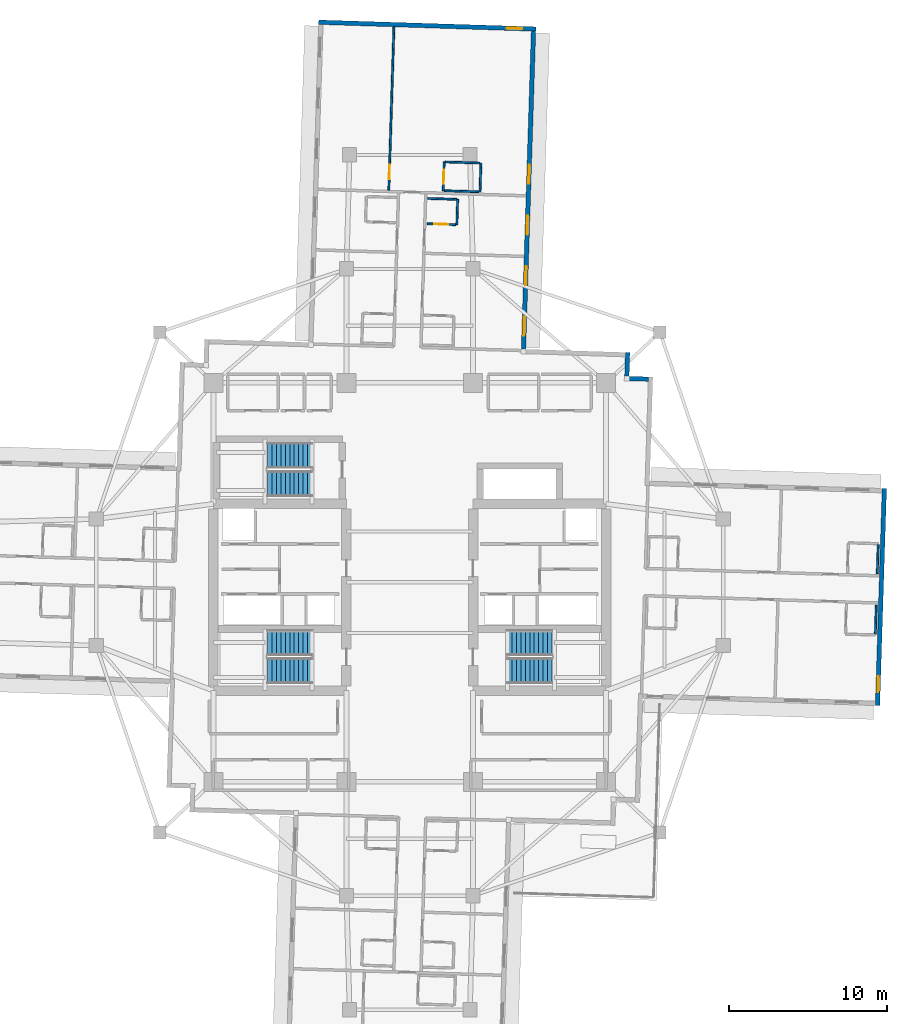
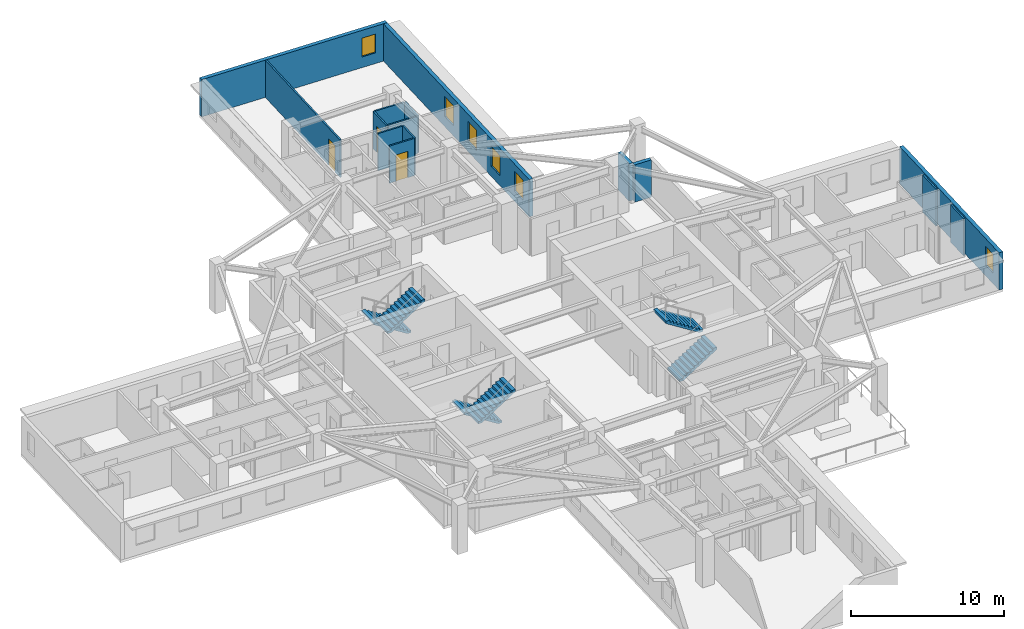
# One storey, part 9 of 14: 15 walls, 6 stair flights, 6 windows, 3 doors, 9 openings, 3 elements without a shape of their own.
"""IFC4 building model written with IfcOpenShell, lengths in metres."""

from ifc_helpers import new_model, si_unit, direction, frame, frame_2d, origin, place, context, subcontext, project, spatial, polyline, rectangle, outline, extrude, material, layer, layer_set, type_object, element, fill, aggregate, save


model = new_model("IFC4")

# Units and contexts
model_context = context("Model", 3, precision=1e-05, world=origin(), true_north=direction((0.0, 1.0)))
body_context = subcontext(model_context, "Body", "Model", "MODEL_VIEW")
ifc_project = project(units=[si_unit("LENGTHUNIT", "METRE"), si_unit("AREAUNIT", "SQUARE_METRE"), si_unit("VOLUMEUNIT", "CUBIC_METRE"), si_unit("PLANEANGLEUNIT", "RADIAN"), si_unit("MASSUNIT", "GRAM", prefix="KILO")], contexts=[model_context])

# Site, building, storey
site_placement = place(None, origin())
site = spatial("IfcSite", under=ifc_project, at=site_placement, CompositionType="ELEMENT")
building_placement = place(site_placement, origin())
building = spatial("IfcBuilding", under=site, at=building_placement, Name="Qingluan Cross Belvedere", CompositionType="ELEMENT")
storey_placement = place(building_placement, frame((0.0, 0.0, 176.10009765625)))
storey = spatial("IfcBuildingStorey", under=building, at=storey_placement, Name="L44", CompositionType="ELEMENT", Elevation=176.10009765625)

# Walls
ifc_material_1 = material(Name="Moisture-resistant gypsum board lining")
ifc_layer_1 = layer(ifc_material_1, 0.1201171875, Name="EnsuiteWetPartition_120")
ifc_layer_set_1 = layer_set([ifc_layer_1], Name="Moisture-resistant gypsum board lining")
wall_type_1 = type_object("IfcWallType", Name="EnsuiteWetPartition_120", PredefinedType="PARTITIONING", material=ifc_layer_set_1)
for number, where, z_axis, x_axis, name in (
    (1, (29.531982421875, 0.552734375, 0.0), (0.0, 0.0, 1.0), (0.031389704724, 0.999507221803, 0.0), "Partition L44:E:bw0_1"),
    (2, (29.411865234375, -3.265380859375, 0.0), (0.0, 0.0, 1.0), (0.031389704724, 0.999507221803, 0.0), "Partition L44:E:bw1_1"),
):
    element("IfcWall", number, at=place(storey_placement, frame(where, z_axis=z_axis, x_axis=x_axis)), inside=storey, type_object=wall_type_1, Name=name, PredefinedType="PARTITIONING", context=body_context, shape_type="SweptSolid", body=[
        extrude(rectangle(XDim=1.820068359375, YDim=0.1201171875, at=frame_2d((0.91015625, 0.0))), origin(), (0.0, 0.0, 1.0), 2.9599609375),
    ])

# Wall, opening, door
wall_1_placement = place(storey_placement, frame((1.091796875, 22.64697265625, 0.0), z_axis=(0.0, 0.0, 1.0), x_axis=(0.999503004171, -0.03152371574, 0.0)))
wall_1 = element("IfcWall", 3, at=wall_1_placement, inside=storey, type_object=wall_type_1, Name="Partition L44:N:bs0_1", PredefinedType="PARTITIONING", context=body_context, shape_type="SweptSolid", body=[
    extrude(rectangle(XDim=1.820068359375, YDim=0.1201171875, at=frame_2d((0.91015625, 0.0))), origin(), (0.0, 0.0, 1.0), 2.9599609375),
])
opening_1_placement = place(wall_1_placement, frame((0.469970703125, 0.0, 0.0)))
opening_1 = element("IfcOpeningElement", 4, at=opening_1_placement, cuts=wall_1, Name="Opening BD-09", PredefinedType="OPENING", context=body_context, shape_type="SweptSolid", body=[
    extrude(rectangle(XDim=0.8798828125, YDim=2.10009765625, at=frame_2d((0.43994140625, 1.050048828125))), frame((0.0, 0.070068359375, 0.0), z_axis=(0.0, -1.0, 0.0), x_axis=(1.0, 0.0, 0.0)), (0.0, 0.0, 1.0), 0.14013671875),
])
ifc_material_2 = material(Name="Moisture-sealed timber en-suite door", Category="wood")
door_type_1 = type_object("IfcDoorType", Name="BathroomDoor_880", OperationType="NOTDEFINED", PredefinedType="DOOR", material=ifc_material_2)
door_1_placement = place(opening_1_placement, origin())
door_1 = element("IfcDoor", 5, at=door_1_placement, inside=storey, type_object=door_type_1, Name="Bathroom door 4412", OperationType="SINGLE_SWING_LEFT", OverallHeight=2.10009765625, OverallWidth=0.8798828125, PredefinedType="DOOR", context=body_context, shape_type="SweptSolid", body=[
    extrude(rectangle(XDim=0.8798828125, YDim=2.10009765625, at=frame_2d((0.43994140625, 1.050048828125))), frame((0.0, 0.02490234375, 0.0), z_axis=(0.0, -1.0, 0.0), x_axis=(1.0, 0.0, 0.0)), (0.0, 0.0, 1.0), 0.050048828125),
])
fill(opening_1, door_1)

# Walls
wall_2_placement = place(storey_placement, frame((1.14208984375, 24.24609375, 0.0), z_axis=(0.0, 0.0, 1.0), x_axis=(0.999507221803, -0.031389704724, 0.0)))
element("IfcWall", 6, at=wall_2_placement, inside=storey, type_object=wall_type_1, Name="Partition L44:N:bw0_1", PredefinedType="PARTITIONING", context=body_context, shape_type="SweptSolid", body=[
    extrude(rectangle(XDim=1.820068359375, YDim=0.1201171875, at=frame_2d((0.91015625, 0.0))), origin(), (0.0, 0.0, 1.0), 2.9599609375),
])
wall_3_placement = place(storey_placement, frame((2.97607421875, 22.587646484375, 0.0), z_axis=(0.0, 0.0, 1.0), x_axis=(0.031277621856, 0.999510735496, 0.0)))
element("IfcWall", 7, at=wall_3_placement, inside=storey, type_object=wall_type_1, Name="Partition L44:N:bn0_1", PredefinedType="PARTITIONING", context=body_context, shape_type="SweptSolid", body=[
    extrude(rectangle(XDim=1.60009765625, YDim=0.1201171875, at=frame_2d((0.800048828125, 0.0))), origin(), (0.0, 0.0, 1.0), 2.9599609375),
])

# Wall, opening, door
wall_4_placement = place(storey_placement, frame((-1.322509765625, 24.773681640625, 0.0), z_axis=(0.0, 0.0, 1.0), x_axis=(0.031416574993, 0.999506377576, 0.0)))
wall_4 = element("IfcWall", 8, at=wall_4_placement, inside=storey, type_object=wall_type_1, Name="Partition L44:Ncap:m2", PredefinedType="PARTITIONING", context=body_context, shape_type="SweptSolid", body=[
    extrude(rectangle(XDim=10.312255859375, YDim=0.1201171875, at=frame_2d((5.15625, 0.0))), origin(), (0.0, 0.0, 1.0), 2.9599609375),
])
opening_2_placement = place(wall_4_placement, frame((0.699951171875, 0.0, 0.0)))
opening_2 = element("IfcOpeningElement", 9, at=opening_2_placement, cuts=wall_4, Name="Opening BD-89", PredefinedType="OPENING", context=body_context, shape_type="SweptSolid", body=[
    extrude(rectangle(XDim=0.89990234375, YDim=2.10009765625, at=frame_2d((0.449951171875, 1.050048828125))), frame((0.0, 0.070068359375, 0.0), z_axis=(0.0, -1.0, 0.0), x_axis=(1.0, 0.0, 0.0)), (0.0, 0.0, 1.0), 0.14013671875),
])
ifc_material_3 = material(Name="Timber acoustic study door", Category="wood")
door_type_2 = type_object("IfcDoorType", Name="SuiteStudyDoor_900", OperationType="NOTDEFINED", PredefinedType="DOOR", material=ifc_material_3)
door_2_placement = place(opening_2_placement, origin())
door_2 = element("IfcDoor", 10, at=door_2_placement, inside=storey, type_object=door_type_2, Name="Suite private study door L44N", OperationType="SINGLE_SWING_LEFT", OverallHeight=2.10009765625, OverallWidth=0.89990234375, PredefinedType="DOOR", context=body_context, shape_type="SweptSolid", body=[
    extrude(rectangle(XDim=0.89990234375, YDim=2.10009765625, at=frame_2d((0.449951171875, 1.050048828125))), frame((0.0, 0.02490234375, 0.0), z_axis=(0.0, -1.0, 0.0), x_axis=(1.0, 0.0, 0.0)), (0.0, 0.0, 1.0), 0.050048828125),
])
fill(opening_2, door_2)

wall_5_placement = place(storey_placement, frame((2.117919921875, 24.735595703125, 0.0), z_axis=(0.0, 0.0, 1.0), x_axis=(0.03152371574, 0.999503004171, 0.0)))
wall_5 = element("IfcWall", 11, at=wall_5_placement, inside=storey, type_object=wall_type_1, Name="Partition L44:Ncap:b2s", PredefinedType="PARTITIONING", context=body_context, shape_type="SweptSolid", body=[
    extrude(rectangle(XDim=1.820068359375, YDim=0.1201171875, at=frame_2d((0.91015625, 0.0))), origin(), (0.0, 0.0, 1.0), 2.9599609375),
])
opening_3_placement = place(wall_5_placement, frame((0.449951171875, 0.0, 0.0)))
opening_3 = element("IfcOpeningElement", 12, at=opening_3_placement, cuts=wall_5, Name="Opening BD-09", PredefinedType="OPENING", context=body_context, shape_type="SweptSolid", body=[
    extrude(rectangle(XDim=0.8798828125, YDim=2.10009765625, at=frame_2d((0.43994140625, 1.050048828125))), frame((0.0, 0.070068359375, 0.0), z_axis=(0.0, -1.0, 0.0), x_axis=(1.0, 0.0, 0.0)), (0.0, 0.0, 1.0), 0.14013671875),
])
door_3_placement = place(opening_3_placement, origin())
door_3 = element("IfcDoor", 13, at=door_3_placement, inside=storey, type_object=door_type_1, Name="En-suite bathroom door L44N", OperationType="SINGLE_SWING_RIGHT", OverallHeight=2.10009765625, OverallWidth=0.8798828125, PredefinedType="DOOR", context=body_context, shape_type="SweptSolid", body=[
    extrude(rectangle(XDim=0.8798828125, YDim=2.10009765625, at=frame_2d((0.43994140625, 1.050048828125))), frame((0.0, 0.02490234375, 0.0), z_axis=(0.0, -1.0, 0.0), x_axis=(1.0, 0.0, 0.0)), (0.0, 0.0, 1.0), 0.050048828125),
])
fill(opening_3, door_3)

# Walls
wall_6_placement = place(storey_placement, frame((4.43701171875, 24.662841796875, 0.0), z_axis=(0.0, 0.0, 1.0), x_axis=(0.031255692016, 0.999511421504, 0.0)))
element("IfcWall", 14, at=wall_6_placement, inside=storey, type_object=wall_type_1, Name="Partition L44:Ncap:b2b", PredefinedType="PARTITIONING", context=body_context, shape_type="SweptSolid", body=[
    extrude(rectangle(XDim=1.820068359375, YDim=0.1201171875, at=frame_2d((0.91015625, 0.0))), origin(), (0.0, 0.0, 1.0), 2.9599609375),
])
for number, where, z_axis, x_axis, name in (
    (15, (2.18798828125, 24.7333984375, 0.0), (0.0, 0.0, 1.0), (0.999508244557, -0.031357121398, 0.0), "Partition L44:Ncap:b2a"),
    (16, (2.2451171875, 26.552490234375, 0.0), (0.0, 0.0, 1.0), (0.999508244557, -0.031357121398, 0.0), "Partition L44:Ncap:b2n"),
):
    element("IfcWall", number, at=place(storey_placement, frame(where, z_axis=z_axis, x_axis=x_axis)), inside=storey, type_object=wall_type_1, Name=name, PredefinedType="PARTITIONING", context=body_context, shape_type="SweptSolid", body=[
        extrude(rectangle(XDim=2.179931640625, YDim=0.1201171875, at=frame_2d((1.08984375, 0.0))), origin(), (0.0, 0.0, 1.0), 2.9599609375),
    ])

# Wall, opening, window
ifc_material_4 = material(Name="Precast concrete C45", Category="concrete")
ifc_layer_2 = layer(ifc_material_4, 0.280029296875, Name="PrecastFacadeWall_280")
ifc_layer_set_2 = layer_set([ifc_layer_2], Name="Precast concrete C45")
wall_type_2 = type_object("IfcWallType", Name="PrecastFacadeWall_280", PredefinedType="STANDARD", material=ifc_layer_set_2)
wall_7_placement = place(storey_placement, frame((29.5498046875, -7.7919921875, 0.0), z_axis=(0.0, 0.0, 1.0), x_axis=(0.031407524763, 0.999506662003, 0.0)))
wall_7 = element("IfcWall", 17, at=wall_7_placement, inside=storey, type_object=wall_type_2, Name="Arm tip precast facade wall L44-E", PredefinedType="STANDARD", context=body_context, shape_type="SweptSolid", body=[
    extrude(rectangle(XDim=13.719970703125, YDim=0.280029296875, at=frame_2d((6.85986328125, 0.0))), origin(), (0.0, 0.0, 1.0), 2.969970703125),
])
opening_4_placement = place(wall_7_placement, frame((0.85009765625, 0.0, 0.85009765625)))
opening_4 = element("IfcOpeningElement", 18, at=opening_4_placement, cuts=wall_7, Name="Opening W-03", PredefinedType="OPENING", context=body_context, shape_type="SweptSolid", body=[
    extrude(rectangle(XDim=1.0, YDim=1.5, at=frame_2d((0.5, 0.75))), frame((0.0, 0.14990234375, 0.0), z_axis=(0.0, -1.0, 0.0), x_axis=(1.0, 0.0, 0.0)), (0.0, 0.0, 1.0), 0.300048828125),
])
ifc_material_5 = material(Name="Thermally broken triple Low-E glass in aluminium frame", Category="aluminium")
window_type_1 = type_object("IfcWindowType", Name="TriApexWin_1000x1500", PartitioningType="SINGLE_PANEL", PredefinedType="WINDOW", material=ifc_material_5)
window_1_placement = place(opening_4_placement, origin())
window_1 = element("IfcWindow", 19, at=window_1_placement, inside=storey, type_object=window_type_1, Name="Arm tip triangular window L44-E", OverallHeight=1.5, OverallWidth=1.0, PartitioningType="SINGLE_PANEL", PredefinedType="WINDOW", context=body_context, shape_type="SweptSolid", body=[
    extrude(rectangle(XDim=1.0, YDim=1.5, at=frame_2d((0.5, 0.75))), frame((0.0, 0.030029296875, 0.0), z_axis=(0.0, -1.0, 0.0), x_axis=(1.0, 0.0, 0.0)), (0.0, 0.0, 1.0), 0.06005859375),
])
fill(opening_4, window_1)

# Wall, openings, windows
wall_8_placement = place(storey_placement, frame((7.18603515625, 14.721435546875, 0.0), z_axis=(0.0, 0.0, 1.0), x_axis=(0.031410322165, 0.999506574096, 0.0)))
wall_8 = element("IfcWall", 20, at=wall_8_placement, inside=storey, type_object=wall_type_2, Name="Facade wall L44-NA", PredefinedType="STANDARD", context=body_context, shape_type="SweptSolid", body=[
    extrude(rectangle(XDim=20.10009765625, YDim=0.280029296875, at=frame_2d((10.050048828125, 0.0))), origin(), (0.0, 0.0, 1.0), 2.969970703125),
])
opening_5_placement = place(wall_8_placement, frame((0.85009765625, 0.0, 0.800048828125)))
opening_5 = element("IfcOpeningElement", 21, at=opening_5_placement, cuts=wall_8, Name="Opening W-02", PredefinedType="OPENING", context=body_context, shape_type="SweptSolid", body=[
    extrude(rectangle(XDim=1.199951171875, YDim=1.60009765625, at=frame_2d((0.60009765625, 0.800048828125))), frame((0.0, 0.14990234375, 0.0), z_axis=(0.0, -1.0, 0.0), x_axis=(1.0, 0.0, 0.0)), (0.0, 0.0, 1.0), 0.300048828125),
])
opening_6_placement = place(wall_8_placement, frame((4.050048828125, 0.0, 0.800048828125)))
opening_6 = element("IfcOpeningElement", 22, at=opening_6_placement, cuts=wall_8, Name="Opening W-02", PredefinedType="OPENING", context=body_context, shape_type="SweptSolid", body=[
    extrude(rectangle(XDim=1.199951171875, YDim=1.60009765625, at=frame_2d((0.60009765625, 0.800048828125))), frame((0.0, 0.14990234375, 0.0), z_axis=(0.0, -1.0, 0.0), x_axis=(1.0, 0.0, 0.0)), (0.0, 0.0, 1.0), 0.300048828125),
])
opening_7_placement = place(wall_8_placement, frame((7.25, 0.0, 0.800048828125)))
opening_7 = element("IfcOpeningElement", 23, at=opening_7_placement, cuts=wall_8, Name="Opening W-02", PredefinedType="OPENING", context=body_context, shape_type="SweptSolid", body=[
    extrude(rectangle(XDim=1.199951171875, YDim=1.60009765625, at=frame_2d((0.60009765625, 0.800048828125))), frame((0.0, 0.14990234375, 0.0), z_axis=(0.0, -1.0, 0.0), x_axis=(1.0, 0.0, 0.0)), (0.0, 0.0, 1.0), 0.300048828125),
])
opening_8_placement = place(wall_8_placement, frame((10.449951171875, 0.0, 0.800048828125)))
opening_8 = element("IfcOpeningElement", 24, at=opening_8_placement, cuts=wall_8, Name="Opening W-02", PredefinedType="OPENING", context=body_context, shape_type="SweptSolid", body=[
    extrude(rectangle(XDim=1.199951171875, YDim=1.60009765625, at=frame_2d((0.60009765625, 0.800048828125))), frame((0.0, 0.14990234375, 0.0), z_axis=(0.0, -1.0, 0.0), x_axis=(1.0, 0.0, 0.0)), (0.0, 0.0, 1.0), 0.300048828125),
])
ifc_material_6 = material(Name="Thermally broken triple Low-E glass in aluminium frame", Category="aluminium")
window_type_2 = type_object("IfcWindowType", Name="TriRibbonWin_1200x1600", PartitioningType="SINGLE_PANEL", PredefinedType="WINDOW", material=ifc_material_6)
window_2_placement = place(opening_5_placement, origin())
window_2 = element("IfcWindow", 25, at=window_2_placement, inside=storey, type_object=window_type_2, Name="Ribbon window L44-NA-1", OverallHeight=1.60009765625, OverallWidth=1.199951171875, PartitioningType="SINGLE_PANEL", PredefinedType="WINDOW", context=body_context, shape_type="SweptSolid", body=[
    extrude(rectangle(XDim=1.199951171875, YDim=1.60009765625, at=frame_2d((0.60009765625, 0.800048828125))), frame((0.0, 0.030029296875, 0.0), z_axis=(0.0, -1.0, 0.0), x_axis=(1.0, 0.0, 0.0)), (0.0, 0.0, 1.0), 0.06005859375),
])
fill(opening_5, window_2)
window_3_placement = place(opening_6_placement, origin())
window_3 = element("IfcWindow", 26, at=window_3_placement, inside=storey, type_object=window_type_2, Name="Ribbon window L44-NA-2", OverallHeight=1.60009765625, OverallWidth=1.199951171875, PartitioningType="SINGLE_PANEL", PredefinedType="WINDOW", context=body_context, shape_type="SweptSolid", body=[
    extrude(rectangle(XDim=1.199951171875, YDim=1.60009765625, at=frame_2d((0.60009765625, 0.800048828125))), frame((0.0, 0.030029296875, 0.0), z_axis=(0.0, -1.0, 0.0), x_axis=(1.0, 0.0, 0.0)), (0.0, 0.0, 1.0), 0.06005859375),
])
fill(opening_6, window_3)
window_4_placement = place(opening_7_placement, origin())
window_4 = element("IfcWindow", 27, at=window_4_placement, inside=storey, type_object=window_type_2, Name="Ribbon window L44-NA-3", OverallHeight=1.60009765625, OverallWidth=1.199951171875, PartitioningType="SINGLE_PANEL", PredefinedType="WINDOW", context=body_context, shape_type="SweptSolid", body=[
    extrude(rectangle(XDim=1.199951171875, YDim=1.60009765625, at=frame_2d((0.60009765625, 0.800048828125))), frame((0.0, 0.030029296875, 0.0), z_axis=(0.0, -1.0, 0.0), x_axis=(1.0, 0.0, 0.0)), (0.0, 0.0, 1.0), 0.06005859375),
])
fill(opening_7, window_4)
window_5_placement = place(opening_8_placement, origin())
window_5 = element("IfcWindow", 28, at=window_5_placement, inside=storey, type_object=window_type_2, Name="Ribbon window L44-NA-4", OverallHeight=1.60009765625, OverallWidth=1.199951171875, PartitioningType="SINGLE_PANEL", PredefinedType="WINDOW", context=body_context, shape_type="SweptSolid", body=[
    extrude(rectangle(XDim=1.199951171875, YDim=1.60009765625, at=frame_2d((0.60009765625, 0.800048828125))), frame((0.0, 0.030029296875, 0.0), z_axis=(0.0, -1.0, 0.0), x_axis=(1.0, 0.0, 0.0)), (0.0, 0.0, 1.0), 0.06005859375),
])
fill(opening_8, window_5)

# Wall, opening, window
wall_9_placement = place(storey_placement, frame((7.961669921875, 34.947265625, 0.0), z_axis=(0.0, 0.0, 1.0), x_axis=(-0.999506679556, 0.031406966164, 0.0)))
wall_9 = element("IfcWall", 29, at=wall_9_placement, inside=storey, type_object=wall_type_2, Name="Arm tip precast facade wall L44-N", PredefinedType="STANDARD", context=body_context, shape_type="SweptSolid", body=[
    extrude(rectangle(XDim=13.72021484375, YDim=0.280029296875, at=frame_2d((6.860107421875, 0.0))), origin(), (0.0, 0.0, 1.0), 2.969970703125),
])
opening_9_placement = place(wall_9_placement, frame((0.85009765625, 0.0, 0.85009765625)))
opening_9 = element("IfcOpeningElement", 30, at=opening_9_placement, cuts=wall_9, Name="Opening W-03", PredefinedType="OPENING", context=body_context, shape_type="SweptSolid", body=[
    extrude(rectangle(XDim=1.0, YDim=1.5, at=frame_2d((0.5, 0.75))), frame((0.0, 0.14990234375, 0.0), z_axis=(0.0, -1.0, 0.0), x_axis=(1.0, 0.0, 0.0)), (0.0, 0.0, 1.0), 0.300048828125),
])
window_6_placement = place(opening_9_placement, origin())
window_6 = element("IfcWindow", 31, at=window_6_placement, inside=storey, type_object=window_type_1, Name="Arm tip triangular window L44-N", OverallHeight=1.5, OverallWidth=1.0, PartitioningType="SINGLE_PANEL", PredefinedType="WINDOW", context=body_context, shape_type="SweptSolid", body=[
    extrude(rectangle(XDim=1.0, YDim=1.5, at=frame_2d((0.5, 0.75))), frame((0.0, 0.030029296875, 0.0), z_axis=(0.0, -1.0, 0.0), x_axis=(1.0, 0.0, 0.0)), (0.0, 0.0, 1.0), 0.06005859375),
])
fill(opening_9, window_6)

# Walls
wall_10_placement = place(storey_placement, frame((15.070556640625, 12.8330078125, 0.0), z_axis=(0.0, 0.0, 1.0), x_axis=(-0.999506398264, 0.031415916822, 0.0)))
element("IfcWall", 32, at=wall_10_placement, inside=storey, type_object=wall_type_2, Name="Corner wall L44-NE2", PredefinedType="STANDARD", context=body_context, shape_type="SweptSolid", body=[
    extrude(rectangle(XDim=1.219970703125, YDim=0.280029296875, at=frame_2d((0.60986328125, 0.0))), origin(), (0.0, 0.0, 1.0), 2.969970703125),
])
wall_11_placement = place(storey_placement, frame((13.715576171875, 13.015625, 0.0), z_axis=(0.0, 0.0, 1.0), x_axis=(0.031412596484, 0.999506502621, 0.0)))
element("IfcWall", 33, at=wall_11_placement, inside=storey, type_object=wall_type_2, Name="Corner wall L44-NE3", PredefinedType="STANDARD", context=body_context, shape_type="SweptSolid", body=[
    extrude(rectangle(XDim=1.5, YDim=0.280029296875, at=frame_2d((0.75, 0.0))), origin(), (0.0, 0.0, 1.0), 2.969970703125),
])

# Stair, stair flights
ifc_material_7 = material(Name="Concrete C40", Category="concrete")
stair_type = type_object("IfcStairType", Name="CoreDoglegStair_1620", PredefinedType="HALF_TURN_STAIR", material=ifc_material_7)
stair_1_placement = place(storey_placement, origin())
stair_1 = element("IfcStair", 34, at=stair_1_placement, inside=storey, type_object=stair_type, Name="L44 ST1", PredefinedType="HALF_TURN_STAIR")
ifc_material_8 = material(Name="Concrete C40", Category="concrete")
ifc_layer_3 = layer(ifc_material_8, 0.179931640625, Name="StairFlight_RC180")
ifc_layer_set_3 = layer_set([ifc_layer_3], Name="Concrete C40")
stair_flight_type = type_object("IfcStairFlightType", Name="StairFlight_RC180", PredefinedType="STRAIGHT", material=ifc_layer_set_3)
stair_flight_1_placement = place(storey_placement, frame((-6.179931640625, -3.81005859375, 0.0), z_axis=(0.0, 0.0, 1.0), x_axis=(-1.0, 0.0, 0.0)))
stair_flight_1 = element("IfcStairFlight", 35, at=stair_flight_1_placement, type_object=stair_flight_type, Name="ST1 flight 1", NumberOfRisers=11, NumberOfTreads=10, PredefinedType="STRAIGHT", RiserHeight=0.177272727, TreadLength=0.28, context=body_context, shape_type="SweptSolid", body=[
    extrude(outline(polyline([(0.0, 0.0), (0.0, 0.17724609375), (0.280029296875, 0.17724609375), (0.280029296875, 0.3544921875), (0.56005859375, 0.3544921875), (0.56005859375, 0.53173828125), (0.840087890625, 0.53173828125), (0.840087890625, 0.708984375), (1.1201171875, 0.708984375), (1.1201171875, 0.886474609375), (1.39990234375, 0.886474609375), (1.39990234375, 1.063720703125), (1.679931640625, 1.063720703125), (1.679931640625, 1.240966796875), (1.9599609375, 1.240966796875), (1.9599609375, 1.418212890625), (2.239990234375, 1.418212890625), (2.239990234375, 1.595458984375), (2.52001953125, 1.595458984375), (2.52001953125, 1.772705078125), (2.800048828125, 1.772705078125), (2.800048828125, 1.949951171875), (2.800048828125, 1.59521484375), (0.2802734375, 0.0), (0.0, 0.0)])), frame((0.0, 0.81005859375, 0.0), z_axis=(0.0, -1.0, 0.0), x_axis=(1.0, 0.0, 0.0)), (0.0, 0.0, 1.0), 1.6201171875),
])
stair_flight_2_placement = place(storey_placement, frame((-8.97998046875, -5.590087890625, 1.949951171875), z_axis=(0.0, 0.0, 1.0), x_axis=(1.0, 0.0, 0.0)))
stair_flight_2 = element("IfcStairFlight", 36, at=stair_flight_2_placement, type_object=stair_flight_type, Name="ST1 flight 2", NumberOfRisers=11, NumberOfTreads=10, PredefinedType="STRAIGHT", RiserHeight=0.177272727, TreadLength=0.28, context=body_context, shape_type="SweptSolid", body=[
    extrude(outline(polyline([(0.0, 0.0), (0.0, 0.17724609375), (0.280029296875, 0.17724609375), (0.280029296875, 0.3544921875), (0.56005859375, 0.3544921875), (0.56005859375, 0.53173828125), (0.840087890625, 0.53173828125), (0.840087890625, 0.708984375), (1.1201171875, 0.708984375), (1.1201171875, 0.886474609375), (1.39990234375, 0.886474609375), (1.39990234375, 1.063720703125), (1.679931640625, 1.063720703125), (1.679931640625, 1.240966796875), (1.9599609375, 1.240966796875), (1.9599609375, 1.418212890625), (2.239990234375, 1.418212890625), (2.239990234375, 1.595458984375), (2.52001953125, 1.595458984375), (2.52001953125, 1.772705078125), (2.800048828125, 1.772705078125), (2.800048828125, 1.949951171875), (2.800048828125, 1.59521484375), (0.2802734375, 0.0), (0.0, 0.0)])), frame((0.0, 0.81005859375, 0.0), z_axis=(0.0, -1.0, 0.0), x_axis=(1.0, 0.0, 0.0)), (0.0, 0.0, 1.0), 1.6201171875),
])
aggregate(stair_1, [stair_flight_1, stair_flight_2])

stair_2_placement = place(storey_placement, origin())
stair_2 = element("IfcStair", 37, at=stair_2_placement, inside=storey, type_object=stair_type, Name="L44 ST2", PredefinedType="HALF_TURN_STAIR")
stair_flight_3_placement = place(storey_placement, frame((6.179931640625, -5.590087890625, 0.0), z_axis=(0.0, 0.0, 1.0), x_axis=(1.0, 0.0, 0.0)))
stair_flight_3 = element("IfcStairFlight", 38, at=stair_flight_3_placement, type_object=stair_flight_type, Name="ST2 flight 1", NumberOfRisers=11, NumberOfTreads=10, PredefinedType="STRAIGHT", RiserHeight=0.177272727, TreadLength=0.28, context=body_context, shape_type="SweptSolid", body=[
    extrude(outline(polyline([(0.0, 0.0), (0.0, 0.17724609375), (0.280029296875, 0.17724609375), (0.280029296875, 0.3544921875), (0.56005859375, 0.3544921875), (0.56005859375, 0.53173828125), (0.840087890625, 0.53173828125), (0.840087890625, 0.708984375), (1.1201171875, 0.708984375), (1.1201171875, 0.886474609375), (1.39990234375, 0.886474609375), (1.39990234375, 1.063720703125), (1.679931640625, 1.063720703125), (1.679931640625, 1.240966796875), (1.9599609375, 1.240966796875), (1.9599609375, 1.418212890625), (2.239990234375, 1.418212890625), (2.239990234375, 1.595458984375), (2.52001953125, 1.595458984375), (2.52001953125, 1.772705078125), (2.800048828125, 1.772705078125), (2.800048828125, 1.949951171875), (2.800048828125, 1.59521484375), (0.2802734375, 0.0), (0.0, 0.0)])), frame((0.0, 0.81005859375, 0.0), z_axis=(0.0, -1.0, 0.0), x_axis=(1.0, 0.0, 0.0)), (0.0, 0.0, 1.0), 1.6201171875),
])
stair_flight_4_placement = place(storey_placement, frame((8.97998046875, -3.81005859375, 1.949951171875), z_axis=(0.0, 0.0, 1.0), x_axis=(-1.0, 0.0, 0.0)))
stair_flight_4 = element("IfcStairFlight", 39, at=stair_flight_4_placement, type_object=stair_flight_type, Name="ST2 flight 2", NumberOfRisers=11, NumberOfTreads=10, PredefinedType="STRAIGHT", RiserHeight=0.177272727, TreadLength=0.28, context=body_context, shape_type="SweptSolid", body=[
    extrude(outline(polyline([(0.0, 0.0), (0.0, 0.17724609375), (0.280029296875, 0.17724609375), (0.280029296875, 0.3544921875), (0.56005859375, 0.3544921875), (0.56005859375, 0.53173828125), (0.840087890625, 0.53173828125), (0.840087890625, 0.708984375), (1.1201171875, 0.708984375), (1.1201171875, 0.886474609375), (1.39990234375, 0.886474609375), (1.39990234375, 1.063720703125), (1.679931640625, 1.063720703125), (1.679931640625, 1.240966796875), (1.9599609375, 1.240966796875), (1.9599609375, 1.418212890625), (2.239990234375, 1.418212890625), (2.239990234375, 1.595458984375), (2.52001953125, 1.595458984375), (2.52001953125, 1.772705078125), (2.800048828125, 1.772705078125), (2.800048828125, 1.949951171875), (2.800048828125, 1.59521484375), (0.2802734375, 0.0), (0.0, 0.0)])), frame((0.0, 0.81005859375, 0.0), z_axis=(0.0, -1.0, 0.0), x_axis=(1.0, 0.0, 0.0)), (0.0, 0.0, 1.0), 1.6201171875),
])
aggregate(stair_2, [stair_flight_3, stair_flight_4])

stair_3_placement = place(storey_placement, origin())
stair_3 = element("IfcStair", 40, at=stair_3_placement, inside=storey, type_object=stair_type, Name="L44 ST3", PredefinedType="HALF_TURN_STAIR")
stair_flight_5_placement = place(storey_placement, frame((-6.179931640625, 8.010009765625, 0.0), z_axis=(0.0, 0.0, 1.0), x_axis=(-1.0, 0.0, 0.0)))
stair_flight_5 = element("IfcStairFlight", 41, at=stair_flight_5_placement, type_object=stair_flight_type, Name="ST3 flight 1", NumberOfRisers=11, NumberOfTreads=10, PredefinedType="STRAIGHT", RiserHeight=0.177272727, TreadLength=0.28, context=body_context, shape_type="SweptSolid", body=[
    extrude(outline(polyline([(0.0, 0.0), (0.0, 0.17724609375), (0.280029296875, 0.17724609375), (0.280029296875, 0.3544921875), (0.56005859375, 0.3544921875), (0.56005859375, 0.53173828125), (0.840087890625, 0.53173828125), (0.840087890625, 0.708984375), (1.1201171875, 0.708984375), (1.1201171875, 0.886474609375), (1.39990234375, 0.886474609375), (1.39990234375, 1.063720703125), (1.679931640625, 1.063720703125), (1.679931640625, 1.240966796875), (1.9599609375, 1.240966796875), (1.9599609375, 1.418212890625), (2.239990234375, 1.418212890625), (2.239990234375, 1.595458984375), (2.52001953125, 1.595458984375), (2.52001953125, 1.772705078125), (2.800048828125, 1.772705078125), (2.800048828125, 1.949951171875), (2.800048828125, 1.59521484375), (0.2802734375, 0.0), (0.0, 0.0)])), frame((0.0, 0.81005859375, 0.0), z_axis=(0.0, -1.0, 0.0), x_axis=(1.0, 0.0, 0.0)), (0.0, 0.0, 1.0), 1.6201171875),
])
stair_flight_6_placement = place(storey_placement, frame((-8.97998046875, 6.22998046875, 1.949951171875), z_axis=(0.0, 0.0, 1.0), x_axis=(1.0, 0.0, 0.0)))
stair_flight_6 = element("IfcStairFlight", 42, at=stair_flight_6_placement, type_object=stair_flight_type, Name="ST3 flight 2", NumberOfRisers=11, NumberOfTreads=10, PredefinedType="STRAIGHT", RiserHeight=0.177272727, TreadLength=0.28, context=body_context, shape_type="SweptSolid", body=[
    extrude(outline(polyline([(0.0, 0.0), (0.0, 0.17724609375), (0.280029296875, 0.17724609375), (0.280029296875, 0.3544921875), (0.56005859375, 0.3544921875), (0.56005859375, 0.53173828125), (0.840087890625, 0.53173828125), (0.840087890625, 0.708984375), (1.1201171875, 0.708984375), (1.1201171875, 0.886474609375), (1.39990234375, 0.886474609375), (1.39990234375, 1.063720703125), (1.679931640625, 1.063720703125), (1.679931640625, 1.240966796875), (1.9599609375, 1.240966796875), (1.9599609375, 1.418212890625), (2.239990234375, 1.418212890625), (2.239990234375, 1.595458984375), (2.52001953125, 1.595458984375), (2.52001953125, 1.772705078125), (2.800048828125, 1.772705078125), (2.800048828125, 1.949951171875), (2.800048828125, 1.59521484375), (0.2802734375, 0.0), (0.0, 0.0)])), frame((0.0, 0.81005859375, 0.0), z_axis=(0.0, -1.0, 0.0), x_axis=(1.0, 0.0, 0.0)), (0.0, 0.0, 1.0), 1.6201171875),
])
aggregate(stair_3, [stair_flight_5, stair_flight_6])

save(model, "model.ifc")
